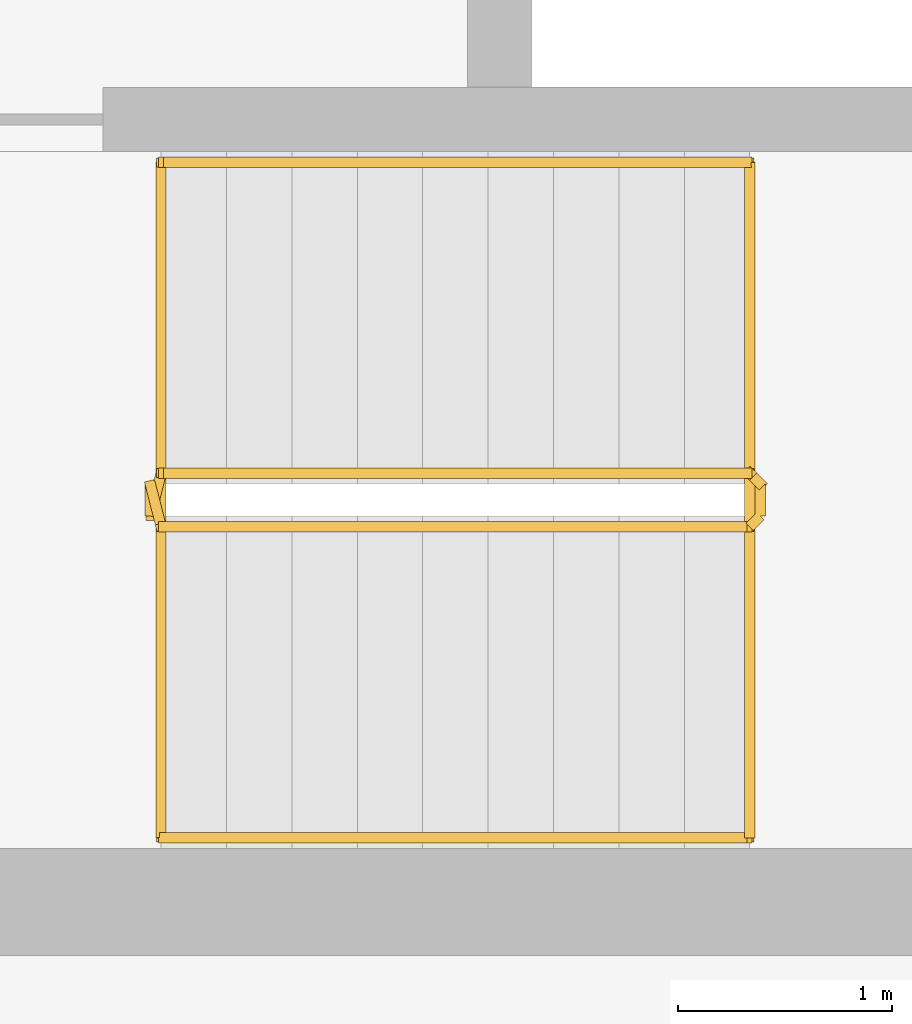
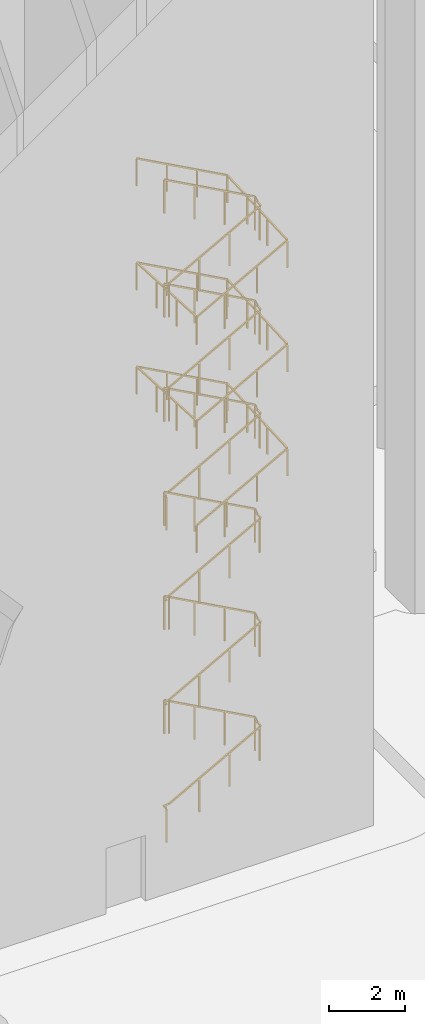
# One storey, part 15 of 26: 3 railings.
"""IFC4 building model written with IfcOpenShell, lengths in metres."""

from ifc_helpers import new_model, si_unit, direction, frame, origin, origin_2d, place, context, subcontext, project, spatial, rectangle, extrude, material, type_object, element, save


model = new_model("IFC4")

# Units and contexts
model_context = context("Model", 3, precision=1e-05, world=origin(), true_north=direction((0.0, 1.0)))
body_context = subcontext(model_context, "Body", "Model", "MODEL_VIEW")
ifc_project = project(units=[si_unit("LENGTHUNIT", "METRE"), si_unit("AREAUNIT", "SQUARE_METRE"), si_unit("VOLUMEUNIT", "CUBIC_METRE"), si_unit("PLANEANGLEUNIT", "RADIAN"), si_unit("MASSUNIT", "GRAM", prefix="KILO")], contexts=[model_context])

# Site, building, storey
site_placement = place(None, origin())
site = spatial("IfcSite", under=ifc_project, at=site_placement, CompositionType="ELEMENT")
building_placement = place(site_placement, origin())
building = spatial("IfcBuilding", under=site, at=building_placement, Name="Noorbagh Ring Tower", CompositionType="ELEMENT")
storey_placement = place(building_placement, frame((0.0, 0.0, 203.5)))
storey = spatial("IfcBuildingStorey", under=building, at=storey_placement, Name="L47", CompositionType="ELEMENT", Elevation=203.5)

# Railings
ifc_material_1 = material(Name="Stainless steel", Category="steel")
railing_type_1 = type_object("IfcRailingType", Name="CORE-STAIR-GUARD", PredefinedType="GUARDRAIL", material=ifc_material_1)
railing_1_placement = place(storey_placement, frame((-21.580078125, -6.449951171875, 0.0)))
element("IfcRailing", 1, at=railing_1_placement, inside=storey, type_object=railing_type_1, Name="L47 ST2 stair guard", PredefinedType="GUARDRAIL", context=body_context, shape_type="SweptSolid", body=[
    extrude(rectangle(XDim=0.048095703125, YDim=0.048095703125, at=origin_2d()), frame((0.0, 0.0, 1.076171875), z_axis=(0.0, 1.0, 0.0), x_axis=(-1.0, 0.0, 0.0)), (0.0, 0.0, 1.0), 0.14990234375),
    extrude(rectangle(XDim=0.048095703125, YDim=0.048095703125, at=origin_2d()), frame((0.0, 0.14990234375, 1.076171875), z_axis=(0.188775798145, -0.754182335027, 0.628945707965), x_axis=(0.970072785993, 0.242814311512, 0.0)), (0.0, 0.0, 1.0), 0.26513671875),
    extrude(rectangle(XDim=0.048095703125, YDim=0.048095703125, at=origin_2d()), frame((0.050048828125, -0.050048828125, 1.24267578125), z_axis=(0.877537414544, 0.0, 0.479508171021), x_axis=(0.0, 1.0, 0.0)), (0.0, 0.0, 1.0), 3.128173828125),
    extrude(rectangle(XDim=0.048095703125, YDim=0.048095703125, at=origin_2d()), frame((2.795166015625, -0.050048828125, 2.74267578125), z_axis=(0.705375805398, 0.708833529934, 0.0), x_axis=(-0.708833529934, 0.705375805398, 0.0)), (0.0, 0.0, 1.0), 0.070556640625),
    extrude(rectangle(XDim=0.048095703125, YDim=0.048095703125, at=origin_2d()), frame((2.844970703125, 0.0, 2.74267578125), z_axis=(0.0, 1.0, 0.0), x_axis=(-1.0, 0.0, 0.0)), (0.0, 0.0, 1.0), 0.14990234375),
    extrude(rectangle(XDim=0.048095703125, YDim=0.048095703125, at=origin_2d()), frame((2.844970703125, 0.14990234375, 2.74267578125), z_axis=(-0.275382897532, 0.276732813696, 0.920642824102), x_axis=(-0.708833529934, -0.705375805398, 0.0)), (0.0, 0.0, 1.0), 0.180908203125),
    extrude(rectangle(XDim=0.048095703125, YDim=0.048095703125, at=origin_2d()), frame((2.795166015625, 0.199951171875, 2.9091796875), z_axis=(-0.877537414544, 0.0, 0.479508171021), x_axis=(0.0, -1.0, 0.0)), (0.0, 0.0, 1.0), 3.128173828125),
    extrude(rectangle(XDim=0.048095703125, YDim=0.048095703125, at=origin_2d()), frame((0.050048828125, 0.199951171875, 4.4091796875), z_axis=(-0.242814311512, -0.970072785993, 0.0), x_axis=(0.970072785993, -0.242814311512, 0.0)), (0.0, 0.0, 1.0), 0.2060546875),
    extrude(rectangle(XDim=0.048095703125, YDim=0.048095703125, at=origin_2d()), frame((0.0, 0.0, 4.4091796875), z_axis=(0.0, 1.0, 0.0), x_axis=(-1.0, 0.0, 0.0)), (0.0, 0.0, 1.0), 0.14990234375),
    extrude(rectangle(XDim=0.048095703125, YDim=0.048095703125, at=origin_2d()), frame((0.0, 0.14990234375, 4.4091796875), z_axis=(0.188775798145, -0.754182335027, 0.628945707965), x_axis=(0.970072785993, 0.242814311512, 0.0)), (0.0, 0.0, 1.0), 0.26513671875),
    extrude(rectangle(XDim=0.048095703125, YDim=0.048095703125, at=origin_2d()), frame((0.050048828125, -0.050048828125, 4.576171875), z_axis=(0.877537414544, 0.0, 0.479508171021), x_axis=(0.0, 1.0, 0.0)), (0.0, 0.0, 1.0), 3.128173828125),
    extrude(rectangle(XDim=0.048095703125, YDim=0.048095703125, at=origin_2d()), frame((2.795166015625, -0.050048828125, 6.076171875), z_axis=(0.705375805398, 0.708833529934, 0.0), x_axis=(-0.708833529934, 0.705375805398, 0.0)), (0.0, 0.0, 1.0), 0.070556640625),
    extrude(rectangle(XDim=0.048095703125, YDim=0.048095703125, at=origin_2d()), frame((2.844970703125, 0.0, 6.076171875), z_axis=(0.0, 1.0, 0.0), x_axis=(-1.0, 0.0, 0.0)), (0.0, 0.0, 1.0), 0.14990234375),
    extrude(rectangle(XDim=0.048095703125, YDim=0.048095703125, at=origin_2d()), frame((2.844970703125, 0.14990234375, 6.076171875), z_axis=(-0.275041040955, 0.276389281352, 0.920848191041), x_axis=(-0.708833529934, -0.705375805398, 0.0)), (0.0, 0.0, 1.0), 0.18115234375),
    extrude(rectangle(XDim=0.048095703125, YDim=0.048095703125, at=origin_2d()), frame((2.795166015625, 0.199951171875, 6.24267578125), z_axis=(-0.877537414544, 0.0, 0.479508171021), x_axis=(0.0, -1.0, 0.0)), (0.0, 0.0, 1.0), 3.128173828125),
    extrude(rectangle(XDim=0.048095703125, YDim=0.048095703125, at=origin_2d()), frame((0.050048828125, 0.199951171875, 7.74267578125), z_axis=(-0.242814311512, -0.970072785993, 0.0), x_axis=(0.970072785993, -0.242814311512, 0.0)), (0.0, 0.0, 1.0), 0.2060546875),
    extrude(rectangle(XDim=0.048095703125, YDim=0.048095703125, at=origin_2d()), frame((0.0, 0.0, 7.74267578125), z_axis=(0.0, 1.0, 0.0), x_axis=(-1.0, 0.0, 0.0)), (0.0, 0.0, 1.0), 0.14990234375),
    extrude(rectangle(XDim=0.048095703125, YDim=0.048095703125, at=origin_2d()), frame((0.0, 0.14990234375, 7.74267578125), z_axis=(0.188885146209, -0.754619193878, 0.628388632753), x_axis=(0.970072785993, 0.242814311512, 0.0)), (0.0, 0.0, 1.0), 0.264892578125),
    extrude(rectangle(XDim=0.048095703125, YDim=0.048095703125, at=origin_2d()), frame((0.050048828125, -0.050048828125, 7.9091796875), z_axis=(0.877537414544, 0.0, 0.479508171021), x_axis=(0.0, 1.0, 0.0)), (0.0, 0.0, 1.0), 3.128173828125),
    extrude(rectangle(XDim=0.048095703125, YDim=0.048095703125, at=origin_2d()), frame((2.795166015625, -0.050048828125, 9.4091796875), z_axis=(0.705375805398, 0.708833529934, 0.0), x_axis=(-0.708833529934, 0.705375805398, 0.0)), (0.0, 0.0, 1.0), 0.070556640625),
    extrude(rectangle(XDim=0.048095703125, YDim=0.048095703125, at=origin_2d()), frame((2.844970703125, 0.0, 9.4091796875), z_axis=(0.0, 1.0, 0.0), x_axis=(-1.0, 0.0, 0.0)), (0.0, 0.0, 1.0), 0.14990234375),
    extrude(rectangle(XDim=0.048095703125, YDim=0.048095703125, at=origin_2d()), frame((2.844970703125, 0.14990234375, 9.4091796875), z_axis=(-0.275041040955, 0.276389281352, 0.920848191041), x_axis=(-0.708833529934, -0.705375805398, 0.0)), (0.0, 0.0, 1.0), 0.18115234375),
    extrude(rectangle(XDim=0.048095703125, YDim=0.048095703125, at=origin_2d()), frame((2.795166015625, 0.199951171875, 9.576171875), z_axis=(-0.877537414544, 0.0, 0.479508171021), x_axis=(0.0, -1.0, 0.0)), (0.0, 0.0, 1.0), 3.128173828125),
    extrude(rectangle(XDim=0.0419921875, YDim=0.0419921875, at=origin_2d()), origin(), (0.0, 0.0, 1.0), 1.052001953125),
    extrude(rectangle(XDim=0.0419921875, YDim=0.0419921875, at=origin_2d()), frame((0.965087890625, -0.050048828125, 0.666748046875)), (0.0, 0.0, 1.0), 1.052001953125),
    extrude(rectangle(XDim=0.0419921875, YDim=0.0419921875, at=origin_2d()), frame((1.880126953125, -0.050048828125, 1.166748046875)), (0.0, 0.0, 1.0), 1.052001953125),
    extrude(rectangle(XDim=0.0419921875, YDim=0.0419921875, at=origin_2d()), frame((2.795166015625, -0.050048828125, 1.666748046875)), (0.0, 0.0, 1.0), 1.052001953125),
    extrude(rectangle(XDim=0.0419921875, YDim=0.0419921875, at=origin_2d()), frame((2.795166015625, 0.199951171875, 1.833251953125)), (0.0, 0.0, 1.0), 1.052001953125),
    extrude(rectangle(XDim=0.0419921875, YDim=0.0419921875, at=origin_2d()), frame((1.880126953125, 0.199951171875, 2.333251953125)), (0.0, 0.0, 1.0), 1.052001953125),
    extrude(rectangle(XDim=0.0419921875, YDim=0.0419921875, at=origin_2d()), frame((0.965087890625, 0.199951171875, 2.833251953125)), (0.0, 0.0, 1.0), 1.052001953125),
    extrude(rectangle(XDim=0.0419921875, YDim=0.0419921875, at=origin_2d()), frame((0.050048828125, 0.199951171875, 3.333251953125)), (0.0, 0.0, 1.0), 1.052001953125),
    extrude(rectangle(XDim=0.0419921875, YDim=0.0419921875, at=origin_2d()), frame((0.050048828125, -0.050048828125, 3.5)), (0.0, 0.0, 1.0), 1.052001953125),
    extrude(rectangle(XDim=0.0419921875, YDim=0.0419921875, at=origin_2d()), frame((0.965087890625, -0.050048828125, 4.0)), (0.0, 0.0, 1.0), 1.052001953125),
    extrude(rectangle(XDim=0.0419921875, YDim=0.0419921875, at=origin_2d()), frame((1.880126953125, -0.050048828125, 4.5)), (0.0, 0.0, 1.0), 1.052001953125),
    extrude(rectangle(XDim=0.0419921875, YDim=0.0419921875, at=origin_2d()), frame((2.795166015625, -0.050048828125, 5.0)), (0.0, 0.0, 1.0), 1.052001953125),
    extrude(rectangle(XDim=0.0419921875, YDim=0.0419921875, at=origin_2d()), frame((2.795166015625, 0.199951171875, 5.166748046875)), (0.0, 0.0, 1.0), 1.052001953125),
    extrude(rectangle(XDim=0.0419921875, YDim=0.0419921875, at=origin_2d()), frame((1.880126953125, 0.199951171875, 5.666748046875)), (0.0, 0.0, 1.0), 1.052001953125),
    extrude(rectangle(XDim=0.0419921875, YDim=0.0419921875, at=origin_2d()), frame((0.965087890625, 0.199951171875, 6.166748046875)), (0.0, 0.0, 1.0), 1.052001953125),
    extrude(rectangle(XDim=0.0419921875, YDim=0.0419921875, at=origin_2d()), frame((0.050048828125, 0.199951171875, 6.666748046875)), (0.0, 0.0, 1.0), 1.052001953125),
    extrude(rectangle(XDim=0.0419921875, YDim=0.0419921875, at=origin_2d()), frame((0.050048828125, -0.050048828125, 6.833251953125)), (0.0, 0.0, 1.0), 1.052001953125),
    extrude(rectangle(XDim=0.0419921875, YDim=0.0419921875, at=origin_2d()), frame((0.965087890625, -0.050048828125, 7.333251953125)), (0.0, 0.0, 1.0), 1.052001953125),
    extrude(rectangle(XDim=0.0419921875, YDim=0.0419921875, at=origin_2d()), frame((1.880126953125, -0.050048828125, 7.833251953125)), (0.0, 0.0, 1.0), 1.052001953125),
    extrude(rectangle(XDim=0.0419921875, YDim=0.0419921875, at=origin_2d()), frame((2.795166015625, -0.050048828125, 8.333251953125)), (0.0, 0.0, 1.0), 1.052001953125),
    extrude(rectangle(XDim=0.0419921875, YDim=0.0419921875, at=origin_2d()), frame((2.795166015625, 0.199951171875, 8.5)), (0.0, 0.0, 1.0), 1.052001953125),
    extrude(rectangle(XDim=0.0419921875, YDim=0.0419921875, at=origin_2d()), frame((1.880126953125, 0.199951171875, 9.0)), (0.0, 0.0, 1.0), 1.052001953125),
    extrude(rectangle(XDim=0.0419921875, YDim=0.0419921875, at=origin_2d()), frame((0.965087890625, 0.199951171875, 9.5)), (0.0, 0.0, 1.0), 1.052001953125),
    extrude(rectangle(XDim=0.0419921875, YDim=0.0419921875, at=origin_2d()), frame((0.050048828125, 0.199951171875, 10.0)), (0.0, 0.0, 1.0), 1.052001953125),
])
railing_2_placement = place(storey_placement, frame((-21.580078125, -6.449951171875, 10.0)))
element("IfcRailing", 2, at=railing_2_placement, inside=storey, type_object=railing_type_1, Name="L47b ST2 stair guard", PredefinedType="GUARDRAIL", context=body_context, shape_type="SweptSolid", body=[
    extrude(rectangle(XDim=0.048095703125, YDim=0.048095703125, at=origin_2d()), frame((0.0, 0.0, 1.076171875), z_axis=(0.0, 1.0, 0.0), x_axis=(-1.0, 0.0, 0.0)), (0.0, 0.0, 1.0), 0.14990234375),
    extrude(rectangle(XDim=0.048095703125, YDim=0.048095703125, at=origin_2d()), frame((0.0, 0.14990234375, 1.076171875), z_axis=(0.188775798145, -0.754182335027, 0.628945707965), x_axis=(0.970072785993, 0.242814311512, 0.0)), (0.0, 0.0, 1.0), 0.26513671875),
    extrude(rectangle(XDim=0.048095703125, YDim=0.048095703125, at=origin_2d()), frame((0.050048828125, -0.050048828125, 1.24267578125), z_axis=(0.877537414544, 0.0, 0.479508171021), x_axis=(0.0, 1.0, 0.0)), (0.0, 0.0, 1.0), 3.128173828125),
    extrude(rectangle(XDim=0.048095703125, YDim=0.048095703125, at=origin_2d()), frame((2.795166015625, -0.050048828125, 2.74267578125), z_axis=(0.705375805398, 0.708833529934, 0.0), x_axis=(-0.708833529934, 0.705375805398, 0.0)), (0.0, 0.0, 1.0), 0.070556640625),
    extrude(rectangle(XDim=0.048095703125, YDim=0.048095703125, at=origin_2d()), frame((2.844970703125, 0.0, 2.74267578125), z_axis=(0.0, 1.0, 0.0), x_axis=(-1.0, 0.0, 0.0)), (0.0, 0.0, 1.0), 0.14990234375),
    extrude(rectangle(XDim=0.048095703125, YDim=0.048095703125, at=origin_2d()), frame((2.844970703125, 0.14990234375, 2.74267578125), z_axis=(-0.275382897532, 0.276732813696, 0.920642824102), x_axis=(-0.708833529934, -0.705375805398, 0.0)), (0.0, 0.0, 1.0), 0.180908203125),
    extrude(rectangle(XDim=0.048095703125, YDim=0.048095703125, at=origin_2d()), frame((2.795166015625, 0.199951171875, 2.9091796875), z_axis=(-0.877537414544, 0.0, 0.479508171021), x_axis=(0.0, -1.0, 0.0)), (0.0, 0.0, 1.0), 3.128173828125),
    extrude(rectangle(XDim=0.048095703125, YDim=0.048095703125, at=origin_2d()), frame((0.050048828125, 0.199951171875, 4.4091796875), z_axis=(-0.242814311512, -0.970072785993, 0.0), x_axis=(0.970072785993, -0.242814311512, 0.0)), (0.0, 0.0, 1.0), 0.2060546875),
    extrude(rectangle(XDim=0.048095703125, YDim=0.048095703125, at=origin_2d()), frame((0.0, 0.0, 4.4091796875), z_axis=(0.0, 1.0, 0.0), x_axis=(-1.0, 0.0, 0.0)), (0.0, 0.0, 1.0), 0.14990234375),
    extrude(rectangle(XDim=0.048095703125, YDim=0.048095703125, at=origin_2d()), frame((0.0, 0.14990234375, 4.4091796875), z_axis=(0.188775798145, -0.754182335027, 0.628945707965), x_axis=(0.970072785993, 0.242814311512, 0.0)), (0.0, 0.0, 1.0), 0.26513671875),
    extrude(rectangle(XDim=0.048095703125, YDim=0.048095703125, at=origin_2d()), frame((0.050048828125, -0.050048828125, 4.576171875), z_axis=(0.877537414544, 0.0, 0.479508171021), x_axis=(0.0, 1.0, 0.0)), (0.0, 0.0, 1.0), 3.128173828125),
    extrude(rectangle(XDim=0.048095703125, YDim=0.048095703125, at=origin_2d()), frame((2.795166015625, -0.050048828125, 6.076171875), z_axis=(0.705375805398, 0.708833529934, 0.0), x_axis=(-0.708833529934, 0.705375805398, 0.0)), (0.0, 0.0, 1.0), 0.070556640625),
    extrude(rectangle(XDim=0.048095703125, YDim=0.048095703125, at=origin_2d()), frame((2.844970703125, 0.0, 6.076171875), z_axis=(0.0, 1.0, 0.0), x_axis=(-1.0, 0.0, 0.0)), (0.0, 0.0, 1.0), 0.14990234375),
    extrude(rectangle(XDim=0.048095703125, YDim=0.048095703125, at=origin_2d()), frame((2.844970703125, 0.14990234375, 6.076171875), z_axis=(-0.275041040955, 0.276389281352, 0.920848191041), x_axis=(-0.708833529934, -0.705375805398, 0.0)), (0.0, 0.0, 1.0), 0.18115234375),
    extrude(rectangle(XDim=0.048095703125, YDim=0.048095703125, at=origin_2d()), frame((2.795166015625, 0.199951171875, 6.24267578125), z_axis=(-0.877537414544, 0.0, 0.479508171021), x_axis=(0.0, -1.0, 0.0)), (0.0, 0.0, 1.0), 3.128173828125),
    extrude(rectangle(XDim=0.048095703125, YDim=0.048095703125, at=origin_2d()), frame((0.050048828125, 0.199951171875, 7.74267578125), z_axis=(-0.242814311512, -0.970072785993, 0.0), x_axis=(0.970072785993, -0.242814311512, 0.0)), (0.0, 0.0, 1.0), 0.2060546875),
    extrude(rectangle(XDim=0.048095703125, YDim=0.048095703125, at=origin_2d()), frame((0.0, 0.0, 7.74267578125), z_axis=(0.0, 1.0, 0.0), x_axis=(-1.0, 0.0, 0.0)), (0.0, 0.0, 1.0), 0.14990234375),
    extrude(rectangle(XDim=0.048095703125, YDim=0.048095703125, at=origin_2d()), frame((0.0, 0.14990234375, 7.74267578125), z_axis=(0.188885146209, -0.754619193878, 0.628388632753), x_axis=(0.970072785993, 0.242814311512, 0.0)), (0.0, 0.0, 1.0), 0.264892578125),
    extrude(rectangle(XDim=0.048095703125, YDim=0.048095703125, at=origin_2d()), frame((0.050048828125, -0.050048828125, 7.9091796875), z_axis=(0.877537414544, 0.0, 0.479508171021), x_axis=(0.0, 1.0, 0.0)), (0.0, 0.0, 1.0), 3.128173828125),
    extrude(rectangle(XDim=0.048095703125, YDim=0.048095703125, at=origin_2d()), frame((2.795166015625, -0.050048828125, 9.4091796875), z_axis=(0.705375805398, 0.708833529934, 0.0), x_axis=(-0.708833529934, 0.705375805398, 0.0)), (0.0, 0.0, 1.0), 0.070556640625),
    extrude(rectangle(XDim=0.048095703125, YDim=0.048095703125, at=origin_2d()), frame((2.844970703125, 0.0, 9.4091796875), z_axis=(0.0, 1.0, 0.0), x_axis=(-1.0, 0.0, 0.0)), (0.0, 0.0, 1.0), 0.14990234375),
    extrude(rectangle(XDim=0.048095703125, YDim=0.048095703125, at=origin_2d()), frame((2.844970703125, 0.14990234375, 9.4091796875), z_axis=(-0.275041040955, 0.276389281352, 0.920848191041), x_axis=(-0.708833529934, -0.705375805398, 0.0)), (0.0, 0.0, 1.0), 0.18115234375),
    extrude(rectangle(XDim=0.048095703125, YDim=0.048095703125, at=origin_2d()), frame((2.795166015625, 0.199951171875, 9.576171875), z_axis=(-0.877537414544, 0.0, 0.479508171021), x_axis=(0.0, -1.0, 0.0)), (0.0, 0.0, 1.0), 3.128173828125),
    extrude(rectangle(XDim=0.0419921875, YDim=0.0419921875, at=origin_2d()), origin(), (0.0, 0.0, 1.0), 1.052001953125),
    extrude(rectangle(XDim=0.0419921875, YDim=0.0419921875, at=origin_2d()), frame((0.965087890625, -0.050048828125, 0.666748046875)), (0.0, 0.0, 1.0), 1.052001953125),
    extrude(rectangle(XDim=0.0419921875, YDim=0.0419921875, at=origin_2d()), frame((1.880126953125, -0.050048828125, 1.166748046875)), (0.0, 0.0, 1.0), 1.052001953125),
    extrude(rectangle(XDim=0.0419921875, YDim=0.0419921875, at=origin_2d()), frame((2.795166015625, -0.050048828125, 1.666748046875)), (0.0, 0.0, 1.0), 1.052001953125),
    extrude(rectangle(XDim=0.0419921875, YDim=0.0419921875, at=origin_2d()), frame((2.795166015625, 0.199951171875, 1.833251953125)), (0.0, 0.0, 1.0), 1.052001953125),
    extrude(rectangle(XDim=0.0419921875, YDim=0.0419921875, at=origin_2d()), frame((1.880126953125, 0.199951171875, 2.333251953125)), (0.0, 0.0, 1.0), 1.052001953125),
    extrude(rectangle(XDim=0.0419921875, YDim=0.0419921875, at=origin_2d()), frame((0.965087890625, 0.199951171875, 2.833251953125)), (0.0, 0.0, 1.0), 1.052001953125),
    extrude(rectangle(XDim=0.0419921875, YDim=0.0419921875, at=origin_2d()), frame((0.050048828125, 0.199951171875, 3.333251953125)), (0.0, 0.0, 1.0), 1.052001953125),
    extrude(rectangle(XDim=0.0419921875, YDim=0.0419921875, at=origin_2d()), frame((0.050048828125, -0.050048828125, 3.5)), (0.0, 0.0, 1.0), 1.052001953125),
    extrude(rectangle(XDim=0.0419921875, YDim=0.0419921875, at=origin_2d()), frame((0.965087890625, -0.050048828125, 4.0)), (0.0, 0.0, 1.0), 1.052001953125),
    extrude(rectangle(XDim=0.0419921875, YDim=0.0419921875, at=origin_2d()), frame((1.880126953125, -0.050048828125, 4.5)), (0.0, 0.0, 1.0), 1.052001953125),
    extrude(rectangle(XDim=0.0419921875, YDim=0.0419921875, at=origin_2d()), frame((2.795166015625, -0.050048828125, 5.0)), (0.0, 0.0, 1.0), 1.052001953125),
    extrude(rectangle(XDim=0.0419921875, YDim=0.0419921875, at=origin_2d()), frame((2.795166015625, 0.199951171875, 5.166748046875)), (0.0, 0.0, 1.0), 1.052001953125),
    extrude(rectangle(XDim=0.0419921875, YDim=0.0419921875, at=origin_2d()), frame((1.880126953125, 0.199951171875, 5.666748046875)), (0.0, 0.0, 1.0), 1.052001953125),
    extrude(rectangle(XDim=0.0419921875, YDim=0.0419921875, at=origin_2d()), frame((0.965087890625, 0.199951171875, 6.166748046875)), (0.0, 0.0, 1.0), 1.052001953125),
    extrude(rectangle(XDim=0.0419921875, YDim=0.0419921875, at=origin_2d()), frame((0.050048828125, 0.199951171875, 6.666748046875)), (0.0, 0.0, 1.0), 1.052001953125),
    extrude(rectangle(XDim=0.0419921875, YDim=0.0419921875, at=origin_2d()), frame((0.050048828125, -0.050048828125, 6.833251953125)), (0.0, 0.0, 1.0), 1.052001953125),
    extrude(rectangle(XDim=0.0419921875, YDim=0.0419921875, at=origin_2d()), frame((0.965087890625, -0.050048828125, 7.333251953125)), (0.0, 0.0, 1.0), 1.052001953125),
    extrude(rectangle(XDim=0.0419921875, YDim=0.0419921875, at=origin_2d()), frame((1.880126953125, -0.050048828125, 7.833251953125)), (0.0, 0.0, 1.0), 1.052001953125),
    extrude(rectangle(XDim=0.0419921875, YDim=0.0419921875, at=origin_2d()), frame((2.795166015625, -0.050048828125, 8.333251953125)), (0.0, 0.0, 1.0), 1.052001953125),
    extrude(rectangle(XDim=0.0419921875, YDim=0.0419921875, at=origin_2d()), frame((2.795166015625, 0.199951171875, 8.5)), (0.0, 0.0, 1.0), 1.052001953125),
    extrude(rectangle(XDim=0.0419921875, YDim=0.0419921875, at=origin_2d()), frame((1.880126953125, 0.199951171875, 9.0)), (0.0, 0.0, 1.0), 1.052001953125),
    extrude(rectangle(XDim=0.0419921875, YDim=0.0419921875, at=origin_2d()), frame((0.965087890625, 0.199951171875, 9.5)), (0.0, 0.0, 1.0), 1.052001953125),
    extrude(rectangle(XDim=0.0419921875, YDim=0.0419921875, at=origin_2d()), frame((0.050048828125, 0.199951171875, 10.0)), (0.0, 0.0, 1.0), 1.052001953125),
])
ifc_material_2 = material(Name="Stainless steel", Category="steel")
railing_type_2 = type_object("IfcRailingType", Name="CORE-STAIR-HANDRAIL", PredefinedType="HANDRAIL", material=ifc_material_2)
railing_3_placement = place(storey_placement, frame((-21.530029296875, -7.949951171875, 10.166748046875)))
element("IfcRailing", 3, at=railing_3_placement, inside=storey, type_object=railing_type_2, Name="L47b ST2 stair handrail", PredefinedType="HANDRAIL", context=body_context, shape_type="SweptSolid", body=[
    extrude(rectangle(XDim=0.048095703125, YDim=0.048095703125, at=origin_2d()), frame((0.0, 0.0, 0.8759765625), z_axis=(0.877537414544, 0.0, 0.479508171021), x_axis=(0.0, 1.0, 0.0)), (0.0, 0.0, 1.0), 3.128173828125),
    extrude(rectangle(XDim=0.048095703125, YDim=0.048095703125, at=origin_2d()), frame((2.7451171875, 0.0, 2.3759765625), z_axis=(0.0, 0.998605830047, 0.052786325848), x_axis=(-1.0, 0.0, 0.0)), (0.0, 0.0, 1.0), 3.154296875),
    extrude(rectangle(XDim=0.048095703125, YDim=0.048095703125, at=origin_2d()), frame((2.7451171875, 3.14990234375, 2.54248046875), z_axis=(-0.877537414544, 0.0, 0.479508171021), x_axis=(0.0, -1.0, 0.0)), (0.0, 0.0, 1.0), 3.128173828125),
    extrude(rectangle(XDim=0.048095703125, YDim=0.048095703125, at=origin_2d()), frame((0.0, 3.14990234375, 4.04248046875), z_axis=(0.0, -0.998601747152, 0.052863509014), x_axis=(1.0, 0.0, 0.0)), (0.0, 0.0, 1.0), 3.154296875),
    extrude(rectangle(XDim=0.048095703125, YDim=0.048095703125, at=origin_2d()), frame((0.0, 0.0, 4.208984375), z_axis=(0.877537414544, 0.0, 0.479508171021), x_axis=(0.0, 1.0, 0.0)), (0.0, 0.0, 1.0), 3.128173828125),
    extrude(rectangle(XDim=0.048095703125, YDim=0.048095703125, at=origin_2d()), frame((2.7451171875, 0.0, 5.708984375), z_axis=(0.0, 0.998601747152, 0.052863509014), x_axis=(-1.0, 0.0, 0.0)), (0.0, 0.0, 1.0), 3.154296875),
    extrude(rectangle(XDim=0.048095703125, YDim=0.048095703125, at=origin_2d()), frame((2.7451171875, 3.14990234375, 5.8759765625), z_axis=(-0.877537414544, 0.0, 0.479508171021), x_axis=(0.0, -1.0, 0.0)), (0.0, 0.0, 1.0), 3.128173828125),
    extrude(rectangle(XDim=0.048095703125, YDim=0.048095703125, at=origin_2d()), frame((0.0, 3.14990234375, 7.3759765625), z_axis=(0.0, -0.998605830047, 0.052786325848), x_axis=(1.0, 0.0, 0.0)), (0.0, 0.0, 1.0), 3.154296875),
    extrude(rectangle(XDim=0.048095703125, YDim=0.048095703125, at=origin_2d()), frame((0.0, 0.0, 7.54248046875), z_axis=(0.877537414544, 0.0, 0.479508171021), x_axis=(0.0, 1.0, 0.0)), (0.0, 0.0, 1.0), 3.128173828125),
    extrude(rectangle(XDim=0.048095703125, YDim=0.048095703125, at=origin_2d()), frame((2.7451171875, 0.0, 9.04248046875), z_axis=(0.0, 0.998601747152, 0.052863509014), x_axis=(-1.0, 0.0, 0.0)), (0.0, 0.0, 1.0), 3.154296875),
    extrude(rectangle(XDim=0.048095703125, YDim=0.048095703125, at=origin_2d()), frame((2.7451171875, 3.14990234375, 9.208984375), z_axis=(-0.877537414544, 0.0, 0.479508171021), x_axis=(0.0, -1.0, 0.0)), (0.0, 0.0, 1.0), 3.128173828125),
    extrude(rectangle(XDim=0.0419921875, YDim=0.0419921875, at=origin_2d()), origin(), (0.0, 0.0, 1.0), 0.851806640625),
    extrude(rectangle(XDim=0.0419921875, YDim=0.0419921875, at=origin_2d()), frame((0.9150390625, 0.0, 0.5)), (0.0, 0.0, 1.0), 0.851806640625),
    extrude(rectangle(XDim=0.0419921875, YDim=0.0419921875, at=origin_2d()), frame((1.830078125, 0.0, 1.0)), (0.0, 0.0, 1.0), 0.851806640625),
    extrude(rectangle(XDim=0.0419921875, YDim=0.0419921875, at=origin_2d()), frame((2.7451171875, 0.0, 1.5)), (0.0, 0.0, 1.0), 0.851806640625),
    extrude(rectangle(XDim=0.0419921875, YDim=0.0419921875, at=origin_2d()), frame((2.7451171875, 1.050048828125, 1.555419921875)), (0.0, 0.0, 1.0), 0.851806640625),
    extrude(rectangle(XDim=0.0419921875, YDim=0.0419921875, at=origin_2d()), frame((2.7451171875, 2.099853515625, 1.611083984375)), (0.0, 0.0, 1.0), 0.851806640625),
    extrude(rectangle(XDim=0.0419921875, YDim=0.0419921875, at=origin_2d()), frame((2.7451171875, 3.14990234375, 1.66650390625)), (0.0, 0.0, 1.0), 0.851806640625),
    extrude(rectangle(XDim=0.0419921875, YDim=0.0419921875, at=origin_2d()), frame((1.830078125, 3.14990234375, 2.16650390625)), (0.0, 0.0, 1.0), 0.851806640625),
    extrude(rectangle(XDim=0.0419921875, YDim=0.0419921875, at=origin_2d()), frame((0.9150390625, 3.14990234375, 2.66650390625)), (0.0, 0.0, 1.0), 0.851806640625),
    extrude(rectangle(XDim=0.0419921875, YDim=0.0419921875, at=origin_2d()), frame((0.0, 3.14990234375, 3.16650390625)), (0.0, 0.0, 1.0), 0.851806640625),
    extrude(rectangle(XDim=0.0419921875, YDim=0.0419921875, at=origin_2d()), frame((0.0, 2.099853515625, 3.22216796875)), (0.0, 0.0, 1.0), 0.851806640625),
    extrude(rectangle(XDim=0.0419921875, YDim=0.0419921875, at=origin_2d()), frame((0.0, 1.050048828125, 3.277587890625)), (0.0, 0.0, 1.0), 0.851806640625),
    extrude(rectangle(XDim=0.0419921875, YDim=0.0419921875, at=origin_2d()), frame((0.0, 0.0, 3.333251953125)), (0.0, 0.0, 1.0), 0.851806640625),
    extrude(rectangle(XDim=0.0419921875, YDim=0.0419921875, at=origin_2d()), frame((0.9150390625, 0.0, 3.833251953125)), (0.0, 0.0, 1.0), 0.851806640625),
    extrude(rectangle(XDim=0.0419921875, YDim=0.0419921875, at=origin_2d()), frame((1.830078125, 0.0, 4.333251953125)), (0.0, 0.0, 1.0), 0.851806640625),
    extrude(rectangle(XDim=0.0419921875, YDim=0.0419921875, at=origin_2d()), frame((2.7451171875, 0.0, 4.833251953125)), (0.0, 0.0, 1.0), 0.851806640625),
    extrude(rectangle(XDim=0.0419921875, YDim=0.0419921875, at=origin_2d()), frame((2.7451171875, 1.050048828125, 4.888916015625)), (0.0, 0.0, 1.0), 0.851806640625),
    extrude(rectangle(XDim=0.0419921875, YDim=0.0419921875, at=origin_2d()), frame((2.7451171875, 2.099853515625, 4.9443359375)), (0.0, 0.0, 1.0), 0.851806640625),
    extrude(rectangle(XDim=0.0419921875, YDim=0.0419921875, at=origin_2d()), frame((2.7451171875, 3.14990234375, 5.0)), (0.0, 0.0, 1.0), 0.851806640625),
    extrude(rectangle(XDim=0.0419921875, YDim=0.0419921875, at=origin_2d()), frame((1.830078125, 3.14990234375, 5.5)), (0.0, 0.0, 1.0), 0.851806640625),
    extrude(rectangle(XDim=0.0419921875, YDim=0.0419921875, at=origin_2d()), frame((0.9150390625, 3.14990234375, 6.0)), (0.0, 0.0, 1.0), 0.851806640625),
    extrude(rectangle(XDim=0.0419921875, YDim=0.0419921875, at=origin_2d()), frame((0.0, 3.14990234375, 6.5)), (0.0, 0.0, 1.0), 0.851806640625),
    extrude(rectangle(XDim=0.0419921875, YDim=0.0419921875, at=origin_2d()), frame((0.0, 2.099853515625, 6.555419921875)), (0.0, 0.0, 1.0), 0.851806640625),
    extrude(rectangle(XDim=0.0419921875, YDim=0.0419921875, at=origin_2d()), frame((0.0, 1.050048828125, 6.611083984375)), (0.0, 0.0, 1.0), 0.851806640625),
    extrude(rectangle(XDim=0.0419921875, YDim=0.0419921875, at=origin_2d()), frame((0.0, 0.0, 6.66650390625)), (0.0, 0.0, 1.0), 0.851806640625),
    extrude(rectangle(XDim=0.0419921875, YDim=0.0419921875, at=origin_2d()), frame((0.9150390625, 0.0, 7.16650390625)), (0.0, 0.0, 1.0), 0.851806640625),
    extrude(rectangle(XDim=0.0419921875, YDim=0.0419921875, at=origin_2d()), frame((1.830078125, 0.0, 7.66650390625)), (0.0, 0.0, 1.0), 0.851806640625),
    extrude(rectangle(XDim=0.0419921875, YDim=0.0419921875, at=origin_2d()), frame((2.7451171875, 0.0, 8.16650390625)), (0.0, 0.0, 1.0), 0.851806640625),
    extrude(rectangle(XDim=0.0419921875, YDim=0.0419921875, at=origin_2d()), frame((2.7451171875, 1.050048828125, 8.22216796875)), (0.0, 0.0, 1.0), 0.851806640625),
    extrude(rectangle(XDim=0.0419921875, YDim=0.0419921875, at=origin_2d()), frame((2.7451171875, 2.099853515625, 8.277587890625)), (0.0, 0.0, 1.0), 0.851806640625),
    extrude(rectangle(XDim=0.0419921875, YDim=0.0419921875, at=origin_2d()), frame((2.7451171875, 3.14990234375, 8.333251953125)), (0.0, 0.0, 1.0), 0.851806640625),
    extrude(rectangle(XDim=0.0419921875, YDim=0.0419921875, at=origin_2d()), frame((1.830078125, 3.14990234375, 8.833251953125)), (0.0, 0.0, 1.0), 0.851806640625),
    extrude(rectangle(XDim=0.0419921875, YDim=0.0419921875, at=origin_2d()), frame((0.9150390625, 3.14990234375, 9.333251953125)), (0.0, 0.0, 1.0), 0.851806640625),
    extrude(rectangle(XDim=0.0419921875, YDim=0.0419921875, at=origin_2d()), frame((0.0, 3.14990234375, 9.833251953125)), (0.0, 0.0, 1.0), 0.851806640625),
])

save(model, "model.ifc")
